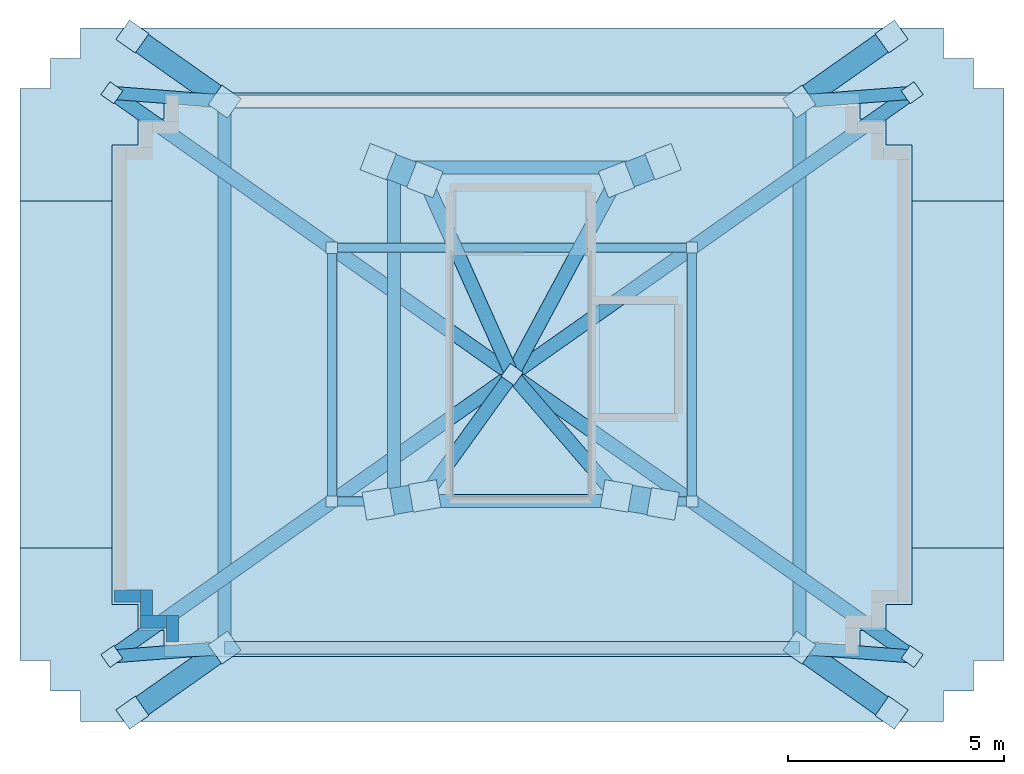
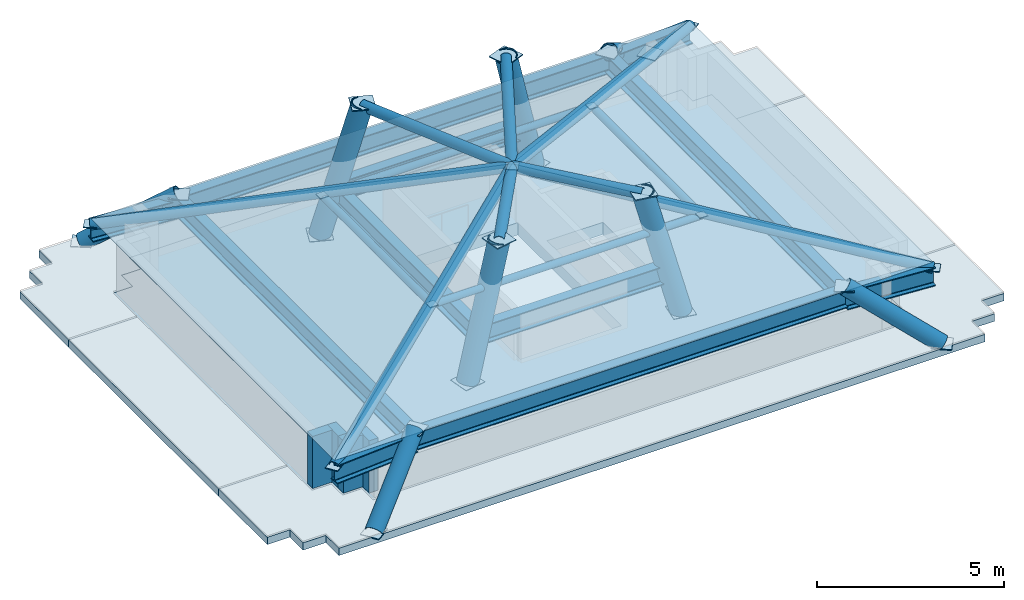
# One storey, part 1 of 3: 25 plates, 20 members, 11 beams, 9 slabs, 4 walls.
"""IFC4 building model written with IfcOpenShell, lengths in metres."""

from ifc_helpers import new_model, si_unit, direction, frame, frame_2d, origin, origin_2d, place, context, subcontext, project, spatial, polyline, rectangle, hollow_circle, i_section, outline, extrude, material, layer, layer_set, material_profile, profile_set, type_object, element, save


model = new_model("IFC4")

# Units and contexts
model_context = context("Model", 3, precision=1e-05, world=origin(), true_north=direction((0.0, 1.0)))
body_context = subcontext(model_context, "Body", "Model", "MODEL_VIEW")
ifc_project = project(units=[si_unit("LENGTHUNIT", "METRE"), si_unit("AREAUNIT", "SQUARE_METRE"), si_unit("VOLUMEUNIT", "CUBIC_METRE"), si_unit("PLANEANGLEUNIT", "RADIAN"), si_unit("MASSUNIT", "GRAM", prefix="KILO")], contexts=[model_context])

# Site, building, storey
site_placement = place(None, origin())
site = spatial("IfcSite", under=ifc_project, at=site_placement, CompositionType="ELEMENT")
building_placement = place(site_placement, origin())
building = spatial("IfcBuilding", under=site, at=building_placement, Name="Qobustan Lattice House", CompositionType="ELEMENT")
storey_placement = place(building_placement, frame((0.0, 0.0, 293.0)))
storey = spatial("IfcBuildingStorey", under=building, at=storey_placement, Name="L82", CompositionType="ELEMENT", Elevation=293.0)

# Beams
ifc_material_1 = material(Name="Steel S355", Category="steel")
ifc_material_profile_1 = material_profile(ifc_material_1, i_section(OverallWidth=0.300048828125, OverallDepth=0.60009765625, WebThickness=0.015380859375, FlangeThickness=0.030029296875, FilletRadius=0.027099609375, at=origin_2d()), Name="HEB600")
ifc_profile_set_1 = profile_set([ifc_material_profile_1], Name="Steel S355")
beam_type = type_object("IfcBeamType", Name="BM-POD-HEB600", PredefinedType="USERDEFINED", material=ifc_profile_set_1)
for number, where, z_axis, x_axis, name in (
    (1, (-2.92578125, -4.5244140625, 1.39990234375), (1.0, 0.0, 0.0), (0.0, 1.0, 0.0), "L82 crown support ring girder 1"),
    (2, (2.92578125, 3.179931640625, 1.39990234375), (-1.0, 0.0, 0.0), (0.0, -1.0, 0.0), "L82 crown support ring girder 3"),
):
    element("IfcBeam", number, at=place(storey_placement, frame(where, z_axis=z_axis, x_axis=x_axis)), inside=storey, type_object=beam_type, Name=name, ObjectType="GIRDER", PredefinedType="USERDEFINED", context=body_context, shape_type="SweptSolid", body=[
        extrude(i_section(OverallWidth=0.300048828125, OverallDepth=0.60009765625, WebThickness=0.015380859375, FlangeThickness=0.030029296875, FilletRadius=0.027099609375, at=origin_2d()), origin(), (0.0, 0.0, 1.0), 5.8515625),
    ])
beam_1_placement = place(storey_placement, frame((-2.92578125, 3.179931640625, 1.39990234375), z_axis=(0.0, -1.0, 0.0), x_axis=(1.0, 0.0, 0.0)))
element("IfcBeam", 3, at=beam_1_placement, inside=storey, type_object=beam_type, Name="L82 crown support ring girder 4", ObjectType="GIRDER", PredefinedType="USERDEFINED", context=body_context, shape_type="SweptSolid", body=[
    extrude(i_section(OverallWidth=0.300048828125, OverallDepth=0.60009765625, WebThickness=0.015380859375, FlangeThickness=0.030029296875, FilletRadius=0.027099609375, at=origin_2d()), origin(), (0.0, 0.0, 1.0), 7.704345703125),
])
beam_2_placement = place(storey_placement, frame((-6.840087890625, -7.909912109375, 1.39990234375), z_axis=(1.0, 0.0, 0.0), x_axis=(0.0, 1.0, 0.0)))
element("IfcBeam", 4, at=beam_2_placement, inside=storey, type_object=beam_type, Name="L82 crown perimeter ring beam 1", ObjectType="GIRDER", PredefinedType="USERDEFINED", context=body_context, shape_type="SweptSolid", body=[
    extrude(i_section(OverallWidth=0.300048828125, OverallDepth=0.60009765625, WebThickness=0.015380859375, FlangeThickness=0.030029296875, FilletRadius=0.027099609375, at=origin_2d()), origin(), (0.0, 0.0, 1.0), 13.280029296875),
])
beam_3_placement = place(storey_placement, frame((6.43994140625, -7.909912109375, 1.39990234375), z_axis=(0.0, 1.0, 0.0), x_axis=(-1.0, 0.0, 0.0)))
element("IfcBeam", 5, at=beam_3_placement, inside=storey, type_object=beam_type, Name="L82 crown perimeter ring beam 2", ObjectType="GIRDER", PredefinedType="USERDEFINED", context=body_context, shape_type="SweptSolid", body=[
    extrude(i_section(OverallWidth=0.300048828125, OverallDepth=0.60009765625, WebThickness=0.015380859375, FlangeThickness=0.030029296875, FilletRadius=0.027099609375, at=origin_2d()), origin(), (0.0, 0.0, 1.0), 12.619873046875),
])
beam_4_placement = place(storey_placement, frame((6.43994140625, 4.7099609375, 1.39990234375), z_axis=(-1.0, 0.0, 0.0), x_axis=(0.0, -1.0, 0.0)))
element("IfcBeam", 6, at=beam_4_placement, inside=storey, type_object=beam_type, Name="L82 crown perimeter ring beam 3", ObjectType="GIRDER", PredefinedType="USERDEFINED", context=body_context, shape_type="SweptSolid", body=[
    extrude(i_section(OverallWidth=0.300048828125, OverallDepth=0.60009765625, WebThickness=0.015380859375, FlangeThickness=0.030029296875, FilletRadius=0.027099609375, at=origin_2d()), origin(), (0.0, 0.0, 1.0), 13.280029296875),
])
beam_5_placement = place(storey_placement, frame((-6.840087890625, 4.7099609375, 1.39990234375), z_axis=(0.0, -1.0, 0.0), x_axis=(1.0, 0.0, 0.0)))
element("IfcBeam", 7, at=beam_5_placement, inside=storey, type_object=beam_type, Name="L82 crown perimeter ring beam 4", ObjectType="GIRDER", PredefinedType="USERDEFINED", context=body_context, shape_type="SweptSolid", body=[
    extrude(i_section(OverallWidth=0.300048828125, OverallDepth=0.60009765625, WebThickness=0.015380859375, FlangeThickness=0.030029296875, FilletRadius=0.027099609375, at=origin_2d()), origin(), (0.0, 0.0, 1.0), 12.619873046875),
])
beam_6_placement = place(storey_placement, frame((-6.840087890625, -7.909912109375, 1.320068359375), z_axis=(-0.997048424085, -0.07677525662, 0.0), x_axis=(0.07677525662, -0.997048424085, 0.0)))
element("IfcBeam", 8, at=beam_6_placement, inside=storey, type_object=beam_type, Name="L82 crown eave corner bracket 1", ObjectType="GIRDER", PredefinedType="USERDEFINED", context=body_context, shape_type="SweptSolid", body=[
    extrude(i_section(OverallWidth=0.300048828125, OverallDepth=0.60009765625, WebThickness=0.015380859375, FlangeThickness=0.030029296875, FilletRadius=0.027099609375, at=origin_2d()), origin(), (0.0, 0.0, 1.0), 2.607666015625),
])
beam_7_placement = place(storey_placement, frame((6.43994140625, -7.909912109375, 1.320068359375), z_axis=(0.997048975895, -0.076768090163, 0.0), x_axis=(0.076768090163, 0.997048975895, 0.0)))
element("IfcBeam", 9, at=beam_7_placement, inside=storey, type_object=beam_type, Name="L82 crown eave corner bracket 2", ObjectType="GIRDER", PredefinedType="USERDEFINED", context=body_context, shape_type="SweptSolid", body=[
    extrude(i_section(OverallWidth=0.300048828125, OverallDepth=0.60009765625, WebThickness=0.015380859375, FlangeThickness=0.030029296875, FilletRadius=0.027099609375, at=origin_2d()), origin(), (0.0, 0.0, 1.0), 2.60791015625),
])
beam_8_placement = place(storey_placement, frame((6.43994140625, 4.7099609375, 1.320068359375), z_axis=(0.997056137393, 0.07667502127, 0.0), x_axis=(-0.07667502127, 0.997056137393, 0.0)))
element("IfcBeam", 10, at=beam_8_placement, inside=storey, type_object=beam_type, Name="L82 crown eave corner bracket 3", ObjectType="GIRDER", PredefinedType="USERDEFINED", context=body_context, shape_type="SweptSolid", body=[
    extrude(i_section(OverallWidth=0.300048828125, OverallDepth=0.60009765625, WebThickness=0.015380859375, FlangeThickness=0.030029296875, FilletRadius=0.027099609375, at=origin_2d()), origin(), (0.0, 0.0, 1.0), 2.607666015625),
])
beam_9_placement = place(storey_placement, frame((-6.840087890625, 4.7099609375, 1.320068359375), z_axis=(-0.997055586917, 0.076682179142, 0.0), x_axis=(-0.076682179142, -0.997055586917, 0.0)))
element("IfcBeam", 11, at=beam_9_placement, inside=storey, type_object=beam_type, Name="L82 crown eave corner bracket 4", ObjectType="GIRDER", PredefinedType="USERDEFINED", context=body_context, shape_type="SweptSolid", body=[
    extrude(i_section(OverallWidth=0.300048828125, OverallDepth=0.60009765625, WebThickness=0.015380859375, FlangeThickness=0.030029296875, FilletRadius=0.027099609375, at=origin_2d()), origin(), (0.0, 0.0, 1.0), 2.607421875),
])

# Members
ifc_material_2 = material(Name="Steel S355", Category="steel")
ifc_material_profile_2 = material_profile(ifc_material_2, hollow_circle(Radius=0.161865234375, WallThickness=0.012451171875, at=origin_2d()), Name="CHS323.9x12.5")
ifc_profile_set_2 = profile_set([ifc_material_profile_2], Name="Steel S355")
member_type_1 = type_object("IfcMemberType", Name="MEM-CBR-CHS324", PredefinedType="BRACE", material=ifc_profile_set_2)
member_1_placement = place(storey_placement, frame((-2.215576171875, -4.402587890625, 4.080078125), z_axis=(0.583851771168, 0.811777432321, 0.011597830726), x_axis=(-0.81183203379, 0.583891041987, 0.0)))
element("IfcMember", 12, at=member_1_placement, inside=storey, type_object=member_type_1, Name="L82 crown apex hub tie 1", PredefinedType="BRACE", context=body_context, shape_type="SweptSolid", body=[
    extrude(hollow_circle(Radius=0.161865234375, WallThickness=0.012451171875, at=origin_2d()), origin(), (0.0, 0.0, 1.0), 3.452392578125),
])
member_2_placement = place(storey_placement, frame((2.215576171875, -4.402587890625, 4.080078125), z_axis=(-0.652837431503, 0.757420747547, 0.01082123901), x_axis=(-0.757465098129, -0.652875658236, 0.0)))
element("IfcMember", 13, at=member_2_placement, inside=storey, type_object=member_type_1, Name="L82 crown apex hub tie 2", PredefinedType="BRACE", context=body_context, shape_type="SweptSolid", body=[
    extrude(hollow_circle(Radius=0.161865234375, WallThickness=0.012451171875, at=origin_2d()), origin(), (0.0, 0.0, 1.0), 3.699951171875),
])
member_3_placement = place(storey_placement, frame((2.215576171875, 2.906005859375, 4.080078125), z_axis=(-0.472441455635, -0.88132726366, 0.007831048992), x_axis=(0.881354288744, -0.472455942615, 0.0)))
element("IfcMember", 14, at=member_3_placement, inside=storey, type_object=member_type_1, Name="L82 crown apex hub tie 3", PredefinedType="BRACE", context=body_context, shape_type="SweptSolid", body=[
    extrude(hollow_circle(Radius=0.161865234375, WallThickness=0.012451171875, at=origin_2d()), origin(), (0.0, 0.0, 1.0), 5.11279296875),
])
member_4_placement = place(storey_placement, frame((-2.215576171875, 2.906005859375, 4.080078125), z_axis=(0.408308165424, -0.912808116427, 0.008110772666), x_axis=(0.912838142282, 0.408321596288, 0.0)))
element("IfcMember", 15, at=member_4_placement, inside=storey, type_object=member_type_1, Name="L82 crown apex hub tie 4", PredefinedType="BRACE", context=body_context, shape_type="SweptSolid", body=[
    extrude(hollow_circle(Radius=0.161865234375, WallThickness=0.012451171875, at=origin_2d()), origin(), (0.0, 0.0, 1.0), 4.9365234375),
])
for number, where, z_axis, x_axis, name in (
    (16, (-9.43994140625, -8.110107421875, 1.52001953125), (0.796674766952, 0.561295021026, 0.224181210348), (-0.575954516607, 0.817481739735, 0.0), "L82 crown glass-point hip rafter 1"),
    (17, (9.0400390625, -8.110107421875, 1.52001953125), (-0.796674766952, 0.561295021026, 0.224181210348), (-0.575954516607, -0.817481739735, 0.0), "L82 crown glass-point hip rafter 2"),
    (18, (9.0400390625, 4.909912109375, 1.52001953125), (-0.796674766952, -0.561295021026, 0.224181210348), (0.575954516607, -0.817481739735, 0.0), "L82 crown glass-point hip rafter 3"),
    (19, (-9.43994140625, 4.909912109375, 1.52001953125), (0.796674766952, -0.561295021026, 0.224181210348), (0.575954516607, 0.817481739735, 0.0), "L82 crown glass-point hip rafter 4"),
):
    element("IfcMember", number, at=place(storey_placement, frame(where, z_axis=z_axis, x_axis=x_axis)), inside=storey, type_object=member_type_1, Name=name, PredefinedType="BRACE", context=body_context, shape_type="SweptSolid", body=[
        extrude(hollow_circle(Radius=0.161865234375, WallThickness=0.012451171875, at=origin_2d()), origin(), (0.0, 0.0, 1.0), 11.59814453125),
    ])
ifc_material_3 = material(Name="Steel S355", Category="steel")
ifc_material_profile_3 = material_profile(ifc_material_3, hollow_circle(Radius=0.109619140625, WallThickness=0.010009765625, at=origin_2d()), Name="CHS219.1x10")
ifc_profile_set_3 = profile_set([ifc_material_profile_3], Name="Steel S355")
member_type_2 = type_object("IfcMemberType", Name="MEM-PRL-CHS219", PredefinedType="PURLIN", material=ifc_profile_set_3)
member_5_placement = place(storey_placement, frame((-4.35791015625, -4.529541015625, 2.85009765625), z_axis=(1.0, 0.0, 0.0), x_axis=(0.0, 1.0, 0.0)))
element("IfcMember", 20, at=member_5_placement, inside=storey, type_object=member_type_2, Name="L82 crown roof purlin South P1", PredefinedType="PURLIN", context=body_context, shape_type="SweptSolid", body=[
    extrude(hollow_circle(Radius=0.109619140625, WallThickness=0.010009765625, at=origin_2d()), origin(), (0.0, 0.0, 1.0), 8.31591796875),
])
member_6_placement = place(storey_placement, frame((3.9580078125, -4.529541015625, 2.85009765625), z_axis=(0.0, 1.0, 0.0), x_axis=(-1.0, 0.0, 0.0)))
element("IfcMember", 21, at=member_6_placement, inside=storey, type_object=member_type_2, Name="L82 crown roof purlin East P1", PredefinedType="PURLIN", context=body_context, shape_type="SweptSolid", body=[
    extrude(hollow_circle(Radius=0.109619140625, WallThickness=0.010009765625, at=origin_2d()), origin(), (0.0, 0.0, 1.0), 5.859130859375),
])
member_7_placement = place(storey_placement, frame((3.9580078125, 1.32958984375, 2.85009765625), z_axis=(-1.0, 0.0, 0.0), x_axis=(0.0, -1.0, 0.0)))
element("IfcMember", 22, at=member_7_placement, inside=storey, type_object=member_type_2, Name="L82 crown roof purlin North P1", PredefinedType="PURLIN", context=body_context, shape_type="SweptSolid", body=[
    extrude(hollow_circle(Radius=0.109619140625, WallThickness=0.010009765625, at=origin_2d()), origin(), (0.0, 0.0, 1.0), 8.31591796875),
])
member_8_placement = place(storey_placement, frame((-4.35791015625, 1.32958984375, 2.85009765625), z_axis=(0.0, -1.0, 0.0), x_axis=(1.0, 0.0, 0.0)))
element("IfcMember", 23, at=member_8_placement, inside=storey, type_object=member_type_2, Name="L82 crown roof purlin West P1", PredefinedType="PURLIN", context=body_context, shape_type="SweptSolid", body=[
    extrude(hollow_circle(Radius=0.109619140625, WallThickness=0.010009765625, at=origin_2d()), origin(), (0.0, 0.0, 1.0), 5.859130859375),
])
ifc_material_4 = material(Name="Steel S355", Category="steel")
ifc_material_profile_4 = material_profile(ifc_material_4, hollow_circle(Radius=0.304931640625, WallThickness=0.02490234375, at=origin_2d()), Name="CHS610x25")
ifc_profile_set_4 = profile_set([ifc_material_profile_4], Name="Steel S355")
member_type_3 = type_object("IfcMemberType", Name="MEM-SPR-CHS610", PredefinedType="USERDEFINED", material=ifc_profile_set_4)
for number, where, z_axis, x_axis, name in (
    (24, (-3.288818359375, -4.586669921875, 0.0), (0.25071615245, 0.043002724965, 0.967105049385), (-0.169050936329, 0.985607315784, 0.0), "L82 crown spire leg SL1"),
    (25, (3.288818359375, -4.586669921875, 0.0), (-0.25071615245, 0.043002724965, 0.967105049385), (-0.169050936329, -0.985607315784, 0.0), "L82 crown spire leg SL2"),
):
    element("IfcMember", number, at=place(storey_placement, frame(where, z_axis=z_axis, x_axis=x_axis)), inside=storey, type_object=member_type_3, Name=name, ObjectType="CROWN FRAME", PredefinedType="USERDEFINED", context=body_context, shape_type="SweptSolid", body=[
        extrude(hollow_circle(Radius=0.304931640625, WallThickness=0.02490234375, at=origin_2d()), origin(), (0.0, 0.0, 1.0), 4.28076171875),
    ])
for number, where, z_axis, x_axis, name in (
    (26, (3.288818359375, 3.320068359375, 0.0), (-0.249780355221, -0.096366579266, 0.963495332913), (0.35994596571, -0.932973151687, 0.0), "L82 crown spire leg SL3"),
    (27, (-3.288818359375, 3.320068359375, 0.0), (0.249780355221, -0.096366579266, 0.963495332913), (0.35994596571, 0.932973151687, 0.0), "L82 crown spire leg SL4"),
):
    element("IfcMember", number, at=place(storey_placement, frame(where, z_axis=z_axis, x_axis=x_axis)), inside=storey, type_object=member_type_3, Name=name, ObjectType="CROWN FRAME", PredefinedType="USERDEFINED", context=body_context, shape_type="SweptSolid", body=[
        extrude(hollow_circle(Radius=0.304931640625, WallThickness=0.02490234375, at=origin_2d()), origin(), (0.0, 0.0, 1.0), 4.296630859375),
    ])
ifc_material_5 = material(Name="Steel S355", Category="steel")
ifc_material_profile_5 = material_profile(ifc_material_5, hollow_circle(Radius=0.25390625, WallThickness=0.02001953125, at=origin_2d()), Name="CHS508x20")
ifc_profile_set_5 = profile_set([ifc_material_profile_5], Name="Steel S355")
member_type_4 = type_object("IfcMemberType", Name="MEM-STR-CHS508", PredefinedType="STRUT", material=ifc_profile_set_5)
for number, where, z_axis, x_axis, name in (
    (28, (-8.966552734375, -9.408447265625, 0.0), (0.684274684469, 0.482213319549, 0.547026937768), (-0.576041902773, 0.817420165062, 0.0), "L82 crown corner raking strut 1"),
    (29, (8.56640625, -9.408447265625, 0.0), (-0.684274684469, 0.482213319549, 0.547026937768), (-0.576041902773, -0.817420165062, 0.0), "L82 crown corner raking strut 2"),
    (30, (8.56640625, 6.20849609375, 0.0), (-0.684274684469, -0.482213319549, 0.547026937768), (0.576041902773, -0.817420165062, 0.0), "L82 crown corner raking strut 3"),
    (31, (-8.966552734375, 6.20849609375, 0.0), (0.684274684469, -0.482213319549, 0.547026937768), (0.576041902773, 0.817420165062, 0.0), "L82 crown corner raking strut 4"),
):
    element("IfcMember", number, at=place(storey_placement, frame(where, z_axis=z_axis, x_axis=x_axis)), inside=storey, type_object=member_type_4, Name=name, PredefinedType="STRUT", context=body_context, shape_type="SweptSolid", body=[
        extrude(hollow_circle(Radius=0.25390625, WallThickness=0.02001953125, at=origin_2d()), origin(), (0.0, 0.0, 1.0), 3.107666015625),
    ])

# Plates
ifc_material_6 = material(Name="Steel S355", Category="steel")
ifc_layer_1 = layer(ifc_material_6, 0.030029296875)
ifc_layer_set_1 = layer_set([ifc_layer_1], Name="Steel S355")
plate_type = type_object("IfcPlateType", Name="PLT-CAP-25", PredefinedType="SHEET", material=ifc_layer_set_1)
for number, where, z_axis, x_axis, name in (
    (32, (-3.290283203125, -4.5869140625, -0.02001953125), (0.0, 0.0, 1.0), (0.985621011945, 0.168971065014, 0.0), "L82 crown spire leg SL1 end cap plate 1"),
    (33, (-2.21435546875, -4.402587890625, 4.1298828125), (0.0, 0.0, 1.0), (0.985621011945, 0.168971065014, 0.0), "L82 crown spire leg SL1 end cap plate 2"),
    (34, (3.290283203125, -4.5869140625, -0.02001953125), (0.0, 0.0, 1.0), (-0.985621011945, 0.168971065014, 0.0), "L82 crown spire leg SL2 end cap plate 1"),
    (35, (2.21435546875, -4.402587890625, 4.1298828125), (0.0, 0.0, 1.0), (-0.985621011945, 0.168971065014, 0.0), "L82 crown spire leg SL2 end cap plate 2"),
    (36, (3.2900390625, 3.320556640625, -0.02001953125), (0.0, 0.0, 1.0), (-0.93299750977, -0.359882823657, 0.0), "L82 crown spire leg SL3 end cap plate 1"),
    (37, (2.21435546875, 2.905517578125, 4.1298828125), (0.0, 0.0, 1.0), (-0.93299750977, -0.359882823657, 0.0), "L82 crown spire leg SL3 end cap plate 2"),
    (38, (-3.2900390625, 3.320556640625, -0.02001953125), (0.0, 0.0, 1.0), (0.93299750977, -0.359882823657, 0.0), "L82 crown spire leg SL4 end cap plate 1"),
    (39, (-2.21435546875, 2.905517578125, 4.1298828125), (0.0, 0.0, 1.0), (0.93299750977, -0.359882823657, 0.0), "L82 crown spire leg SL4 end cap plate 2"),
):
    element("IfcPlate", number, at=place(storey_placement, frame(where, z_axis=z_axis, x_axis=x_axis)), inside=storey, type_object=plate_type, Name=name, PredefinedType="SHEET", context=body_context, shape_type="SweptSolid", body=[
        extrude(rectangle(XDim=0.64990234375, YDim=0.64990234375, at=origin_2d()), origin(), (0.0, 0.0, 1.0), 0.030029296875),
    ])
for number, where, z_axis, x_axis, name in (
    (40, (-8.969970703125, -9.410888671875, -0.017578125), (0.0, 0.0, 1.0), (0.81742649872, 0.576032915024, 0.0), "L82 crown corner raking strut 1 end cap plate 1"),
    (41, (-6.836669921875, -7.90771484375, 1.6875), (0.0, 0.0, 1.0), (0.81742649872, 0.576032915024, 0.0), "L82 crown corner raking strut 1 end cap plate 2"),
    (42, (8.56982421875, -9.410888671875, -0.017578125), (0.0, 0.0, 1.0), (-0.81742649872, 0.576032915024, 0.0), "L82 crown corner raking strut 2 end cap plate 1"),
    (43, (6.4365234375, -7.90771484375, 1.6875), (0.0, 0.0, 1.0), (-0.81742649872, 0.576032915024, 0.0), "L82 crown corner raking strut 2 end cap plate 2"),
    (44, (8.56982421875, 6.2109375, -0.017578125), (0.0, 0.0, 1.0), (-0.81742649872, -0.576032915024, 0.0), "L82 crown corner raking strut 3 end cap plate 1"),
    (45, (6.4365234375, 4.70751953125, 1.6875), (0.0, 0.0, 1.0), (-0.81742649872, -0.576032915024, 0.0), "L82 crown corner raking strut 3 end cap plate 2"),
    (46, (-8.969970703125, 6.2109375, -0.017578125), (0.0, 0.0, 1.0), (0.81742649872, -0.576032915024, 0.0), "L82 crown corner raking strut 4 end cap plate 1"),
    (47, (-6.836669921875, 4.70751953125, 1.6875), (0.0, 0.0, 1.0), (0.81742649872, -0.576032915024, 0.0), "L82 crown corner raking strut 4 end cap plate 2"),
):
    element("IfcPlate", number, at=place(storey_placement, frame(where, z_axis=z_axis, x_axis=x_axis)), inside=storey, type_object=plate_type, Name=name, PredefinedType="SHEET", context=body_context, shape_type="SweptSolid", body=[
        extrude(rectangle(XDim=0.548095703125, YDim=0.548095703125, at=origin_2d()), origin(), (0.0, 0.0, 1.0), 0.030029296875),
    ])
for number, where, z_axis, x_axis, name in (
    (48, (-0.197021484375, -1.595947265625, 4.10498046875), (0.0, 0.0, 1.0), (0.583852986021, 0.811859403293, 0.0), "L82 crown apex hub tie 1 end cap plate 2"),
    (49, (-9.444091796875, -8.11279296875, 1.50390625), (0.0, 0.0, 1.0), (0.817486816264, 0.575947311162, 0.0), "L82 crown glass-point hip rafter 1 end cap plate 1"),
    (50, (9.0439453125, -8.11279296875, 1.50390625), (0.0, 0.0, 1.0), (-0.817486816264, 0.575947311162, 0.0), "L82 crown glass-point hip rafter 2 end cap plate 1"),
    (51, (9.0439453125, 4.912841796875, 1.50390625), (0.0, 0.0, 1.0), (-0.817486816264, -0.575947311162, 0.0), "L82 crown glass-point hip rafter 3 end cap plate 1"),
    (52, (-9.444091796875, 4.912841796875, 1.50390625), (0.0, 0.0, 1.0), (0.817486816264, -0.575947311162, 0.0), "L82 crown glass-point hip rafter 4 end cap plate 1"),
):
    element("IfcPlate", number, at=place(storey_placement, frame(where, z_axis=z_axis, x_axis=x_axis)), inside=storey, type_object=plate_type, Name=name, PredefinedType="SHEET", context=body_context, shape_type="SweptSolid", body=[
        extrude(rectangle(XDim=0.364013671875, YDim=0.364013671875, at=origin_2d()), origin(), (0.0, 0.0, 1.0), 0.030029296875),
    ])
for number, where, z_axis, x_axis, name in (
    (53, (-4.363037109375, -4.529541015625, 2.8349609375), (0.0, 0.0, 1.0), (1.0, 0.0, 0.0), "L82 crown roof purlin South P1 end cap plate 1"),
    (54, (3.962890625, -4.529541015625, 2.8349609375), (0.0, 0.0, 1.0), (1.0, 0.0, 0.0), "L82 crown roof purlin South P1 end cap plate 2"),
    (55, (3.9580078125, 1.33447265625, 2.8349609375), (0.0, 0.0, 1.0), (0.0, 1.0, 0.0), "L82 crown roof purlin East P1 end cap plate 2"),
    (56, (-4.363037109375, 1.32958984375, 2.8349609375), (0.0, 0.0, 1.0), (-1.0, 0.0, 0.0), "L82 crown roof purlin North P1 end cap plate 2"),
):
    element("IfcPlate", number, at=place(storey_placement, frame(where, z_axis=z_axis, x_axis=x_axis)), inside=storey, type_object=plate_type, Name=name, PredefinedType="SHEET", context=body_context, shape_type="SweptSolid", body=[
        extrude(rectangle(XDim=0.259033203125, YDim=0.259033203125, at=origin_2d()), origin(), (0.0, 0.0, 1.0), 0.030029296875),
    ])

# Slabs
ifc_material_7 = material(Name="Precast concrete C40/50", Category="concrete")
ifc_layer_2 = layer(ifc_material_7, 0.035888671875)
ifc_layer_set_2 = layer_set([ifc_layer_2], Name="Precast concrete C40/50")
slab_type_1 = type_object("IfcSlabType", Name="SLB-CROWN-036", PredefinedType="ROOF", material=ifc_layer_set_2)
slab_1_placement = place(storey_placement, frame((-9.43994140625, -8.110107421875, 1.699951171875), z_axis=(0.0, -0.35849810108, 0.933530455594), x_axis=(1.0, 0.0, 0.0)))
element("IfcSlab", 57, at=slab_1_placement, inside=storey, type_object=slab_type_1, Name="L82 glass-point crown sloped roof facet South", PredefinedType="ROOF", context=body_context, shape_type="SweptSolid", body=[
    extrude(outline(polyline([(0.0, 0.0), (18.47998046875, 0.0), (9.239990234375, 6.973537635127015), (0.0, 0.0)])), origin(), (0.0, 0.0, -1.0), 0.035888671875),
])
slab_2_placement = place(storey_placement, frame((9.0400390625, -8.110107421875, 1.699951171875), z_axis=(0.261172400475, 0.0, 0.965292171951), x_axis=(0.0, 1.0, 0.0)))
element("IfcSlab", 58, at=slab_2_placement, inside=storey, type_object=slab_type_1, Name="L82 glass-point crown sloped roof facet East", PredefinedType="ROOF", context=body_context, shape_type="SweptSolid", body=[
    extrude(outline(polyline([(0.0, 0.0), (13.02001953125, 0.0), (6.510009765625, 9.572221243334557), (0.0, 0.0)])), origin(), (0.0, 0.0, -1.0), 0.035888671875),
])
slab_3_placement = place(storey_placement, frame((9.0400390625, 4.909912109375, 1.699951171875), z_axis=(0.0, 0.35849810108, 0.933530455594), x_axis=(-1.0, 0.0, 0.0)))
element("IfcSlab", 59, at=slab_3_placement, inside=storey, type_object=slab_type_1, Name="L82 glass-point crown sloped roof facet North", PredefinedType="ROOF", context=body_context, shape_type="SweptSolid", body=[
    extrude(outline(polyline([(0.0, 0.0), (18.47998046875, 0.0), (9.239990234375, 6.973537635127015), (0.0, 0.0)])), origin(), (0.0, 0.0, -1.0), 0.035888671875),
])
slab_4_placement = place(storey_placement, frame((-9.43994140625, 4.909912109375, 1.699951171875), z_axis=(-0.261172400475, 0.0, 0.965292171951), x_axis=(0.0, -1.0, 0.0)))
element("IfcSlab", 60, at=slab_4_placement, inside=storey, type_object=slab_type_1, Name="L82 glass-point crown sloped roof facet West", PredefinedType="ROOF", context=body_context, shape_type="SweptSolid", body=[
    extrude(outline(polyline([(0.0, 0.0), (13.02001953125, 0.0), (6.510009765625, 9.572221243334557), (0.0, 0.0)])), origin(), (0.0, 0.0, -1.0), 0.035888671875),
])
ifc_material_8 = material(Name="Concrete C50/60", Category="concrete")
ifc_layer_3 = layer(ifc_material_8, 0.39990234375)
ifc_layer_set_3 = layer_set([ifc_layer_3], Name="Concrete C50/60")
slab_type_2 = type_object("IfcSlabType", Name="SLB-PLANT-DECK-400", PredefinedType="USERDEFINED", material=ifc_layer_set_3)
slab_5_placement = place(storey_placement, frame((0.0, 0.0, -0.39990234375)))
element("IfcSlab", 61, at=slab_5_placement, inside=storey, type_object=slab_type_2, Name="L82 crown mechanical plant deck", ObjectType="PLANT DECK", PredefinedType="USERDEFINED", context=body_context, shape_type="SweptSolid", body=[
    extrude(outline(polyline([(-8.239990234375, -8.110107421875), (7.840087890625, -8.110107421875), (7.840087890625, -7.510009765625), (8.43994140625, -7.510009765625), (8.43994140625, -6.909912109375), (9.0400390625, -6.909912109375), (9.0400390625, 3.7099609375), (8.43994140625, 3.7099609375), (8.43994140625, 4.31005859375), (7.840087890625, 4.31005859375), (7.840087890625, 4.909912109375), (-8.239990234375, 4.909912109375), (-8.239990234375, 4.31005859375), (-8.840087890625, 4.31005859375), (-8.840087890625, 3.7099609375), (-9.43994140625, 3.7099609375), (-9.43994140625, -6.909912109375), (-8.840087890625, -6.909912109375), (-8.840087890625, -7.510009765625), (-8.239990234375, -7.510009765625), (-8.239990234375, -8.110107421875)]), holes=[polyline([(-1.56005859375, -4.39990234375), (-1.56005859375, 1.139892578125), (1.56005859375, 1.139892578125), (1.56005859375, -4.39990234375), (-1.56005859375, -4.39990234375)]), polyline([(1.820068359375, -2.5), (1.820068359375, 0.02001953125), (3.5400390625, 0.02001953125), (3.5400390625, -2.5), (1.820068359375, -2.5)])]), origin(), (0.0, 0.0, 1.0), 0.39990234375),
])
ifc_material_9 = material(Name="Concrete C40/50", Category="concrete")
ifc_layer_4 = layer(ifc_material_9, 0.239990234375)
ifc_layer_set_4 = layer_set([ifc_layer_4], Name="Concrete C40/50")
slab_type_3 = type_object("IfcSlabType", Name="SLB-ROOF-240", PredefinedType="ROOF", material=ifc_layer_set_4)
slab_6_placement = place(storey_placement, frame((0.0, 0.0, -0.239990234375)))
element("IfcSlab", 62, at=slab_6_placement, inside=storey, type_object=slab_type_3, Name="L82 crown step-in roof slab S1", PredefinedType="ROOF", context=body_context, shape_type="SweptSolid", body=[
    extrude(outline(polyline([(-10.16650390625, -8.908447265625), (-10.16650390625, -9.6083984375), (9.7666015625, -9.6083984375), (9.7666015625, -8.908447265625), (10.466552734375, -8.908447265625), (10.466552734375, -8.20849609375), (11.16650390625, -8.20849609375), (11.16650390625, -5.610107421875), (9.0400390625, -5.610107421875), (9.0400390625, -6.909912109375), (8.43994140625, -6.909912109375), (8.43994140625, -7.510009765625), (7.840087890625, -7.510009765625), (7.840087890625, -8.110107421875), (-8.239990234375, -8.110107421875), (-8.239990234375, -7.510009765625), (-8.840087890625, -7.510009765625), (-8.840087890625, -6.909912109375), (-9.43994140625, -6.909912109375), (-9.43994140625, -5.610107421875), (-11.56640625, -5.610107421875), (-11.56640625, -8.20849609375), (-10.866455078125, -8.20849609375), (-10.866455078125, -8.908447265625), (-10.16650390625, -8.908447265625)])), origin(), (0.0, 0.0, 1.0), 0.239990234375),
])
slab_7_placement = place(storey_placement, frame((0.0, 0.0, -0.239990234375)))
element("IfcSlab", 63, at=slab_7_placement, inside=storey, type_object=slab_type_3, Name="L82 crown step-in roof slab N1", PredefinedType="ROOF", context=body_context, shape_type="SweptSolid", body=[
    extrude(outline(polyline([(-11.56640625, 2.409912109375), (-9.43994140625, 2.409912109375), (-9.43994140625, 3.7099609375), (-8.840087890625, 3.7099609375), (-8.840087890625, 4.31005859375), (-8.239990234375, 4.31005859375), (-8.239990234375, 4.909912109375), (7.840087890625, 4.909912109375), (7.840087890625, 4.31005859375), (8.43994140625, 4.31005859375), (8.43994140625, 3.7099609375), (9.0400390625, 3.7099609375), (9.0400390625, 2.409912109375), (11.16650390625, 2.409912109375), (11.16650390625, 5.008544921875), (10.466552734375, 5.008544921875), (10.466552734375, 5.70849609375), (9.7666015625, 5.70849609375), (9.7666015625, 6.408447265625), (-10.16650390625, 6.408447265625), (-10.16650390625, 5.70849609375), (-10.866455078125, 5.70849609375), (-10.866455078125, 5.008544921875), (-11.56640625, 5.008544921875), (-11.56640625, 2.409912109375)])), origin(), (0.0, 0.0, 1.0), 0.239990234375),
])
slab_8_placement = place(storey_placement, frame((0.0, 0.0, -0.239990234375)))
element("IfcSlab", 64, at=slab_8_placement, inside=storey, type_object=slab_type_3, Name="L82 crown step-in roof slab W1", PredefinedType="ROOF", context=body_context, shape_type="SweptSolid", body=[
    extrude(outline(polyline([(-11.56640625, -5.610107421875), (-9.43994140625, -5.610107421875), (-9.43994140625, 2.409912109375), (-11.56640625, 2.409912109375), (-11.56640625, -5.610107421875)])), origin(), (0.0, 0.0, 1.0), 0.239990234375),
])
slab_9_placement = place(storey_placement, frame((0.0, 0.0, -0.239990234375)))
element("IfcSlab", 65, at=slab_9_placement, inside=storey, type_object=slab_type_3, Name="L82 crown step-in roof slab E1", PredefinedType="ROOF", context=body_context, shape_type="SweptSolid", body=[
    extrude(outline(polyline([(11.16650390625, 2.409912109375), (9.0400390625, 2.409912109375), (9.0400390625, -5.610107421875), (11.16650390625, -5.610107421875), (11.16650390625, 2.409912109375)])), origin(), (0.0, 0.0, 1.0), 0.239990234375),
])

# Walls
ifc_material_10 = material(Name="Precast concrete C40/50", Category="concrete")
ifc_layer_5 = layer(ifc_material_10, 0.280029296875)
ifc_layer_set_5 = layer_set([ifc_layer_5], Name="Precast concrete C40/50")
wall_type = type_object("IfcWallType", Name="WAL-EXT-CROWN-280", PredefinedType="SOLIDWALL", material=ifc_layer_set_5)
for number, where, z_axis, x_axis, name in (
    (66, (-8.0400390625, -7.781982421875, 0.0), (0.0, 0.0, 1.0), (0.0, 1.0, 0.0), "L82 crown faceted limestone wall 1"),
    (67, (-8.16796875, -7.31005859375, 0.0), (0.0, 0.0, 1.0), (-1.0, 0.0, 0.0), "L82 crown faceted limestone wall 2"),
):
    element("IfcWall", number, at=place(storey_placement, frame(where, z_axis=z_axis, x_axis=x_axis)), inside=storey, type_object=wall_type, Name=name, PredefinedType="SOLIDWALL", context=body_context, shape_type="SweptSolid", body=[
        extrude(rectangle(XDim=0.612060546875, YDim=0.280029296875, at=frame_2d((0.30615234375, 0.0))), origin(), (0.0, 0.0, 1.0), 1.699951171875),
    ])
for number, where, z_axis, x_axis, name in (
    (68, (-8.639892578125, -7.181884765625, 0.0), (0.0, 0.0, 1.0), (0.0, 1.0, 0.0), "L82 crown faceted limestone wall 3"),
    (69, (-8.76806640625, -6.7099609375, 0.0), (0.0, 0.0, 1.0), (-1.0, 0.0, 0.0), "L82 crown faceted limestone wall 4"),
):
    element("IfcWall", number, at=place(storey_placement, frame(where, z_axis=z_axis, x_axis=x_axis)), inside=storey, type_object=wall_type, Name=name, PredefinedType="SOLIDWALL", context=body_context, shape_type="SweptSolid", body=[
        extrude(rectangle(XDim=0.61181640625, YDim=0.280029296875, at=frame_2d((0.305908203125, 0.0))), origin(), (0.0, 0.0, 1.0), 1.699951171875),
    ])

save(model, "model.ifc")
